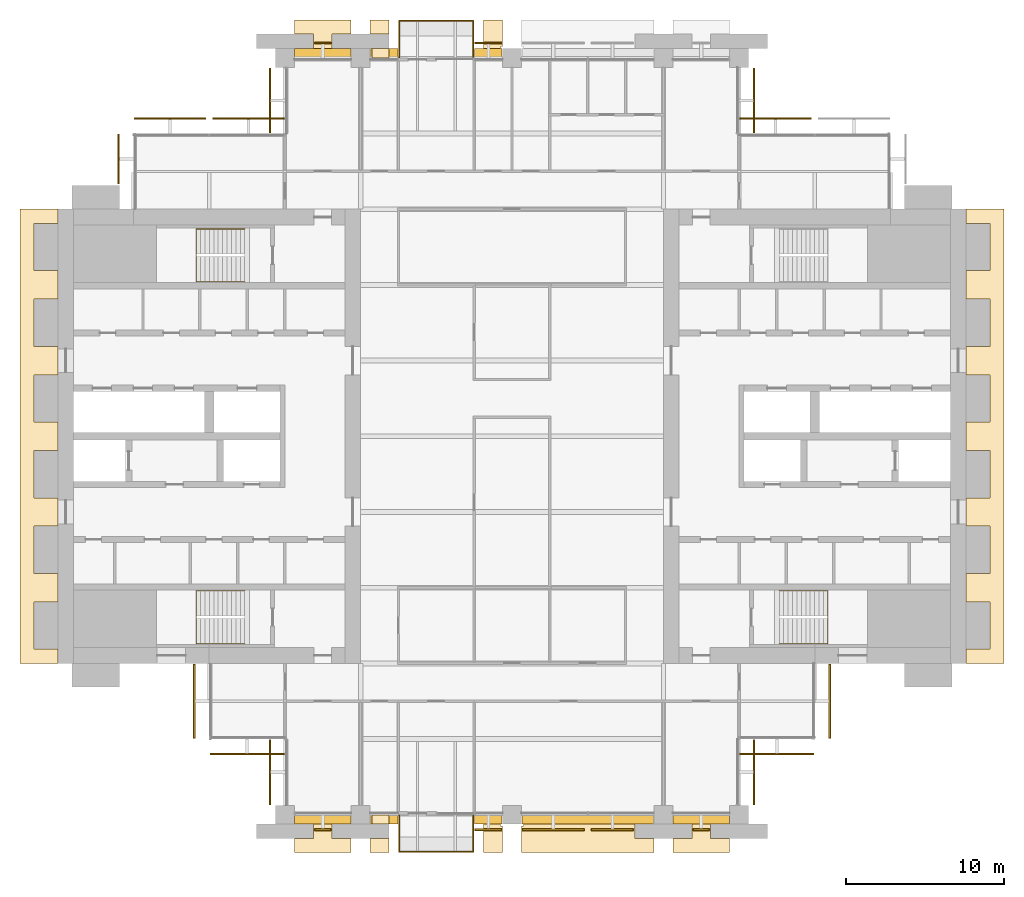
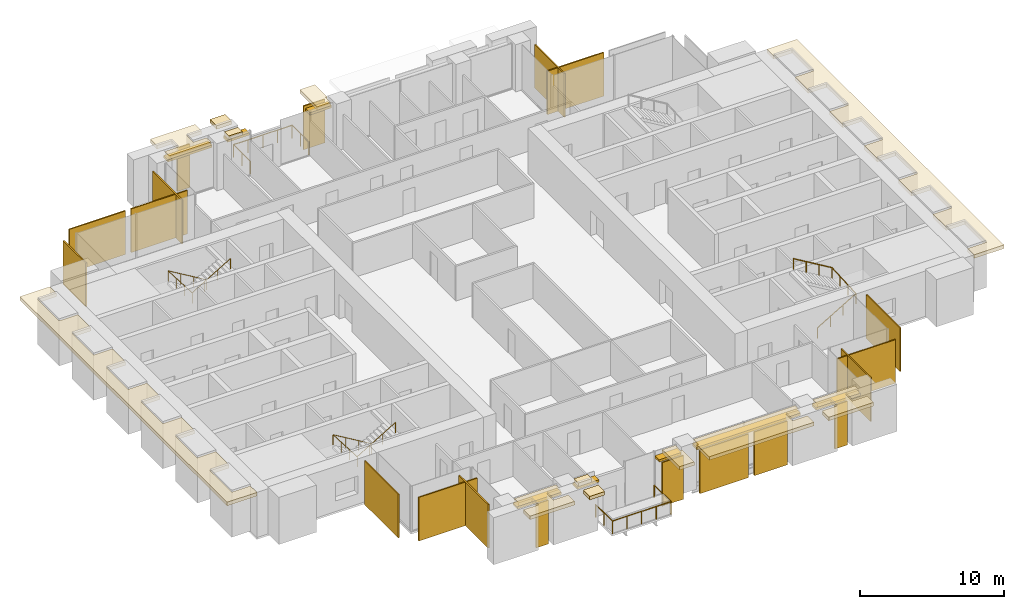
# One storey, part 14 of 15: 31 coverings, 8 shading devices, 5 railings.
"""IFC4 building model written with IfcOpenShell, lengths in metres."""

from ifc_helpers import new_model, si_unit, direction, frame, origin, origin_2d, place, context, subcontext, project, spatial, polyline, rectangle, circle, outline, extrude, material, layer, layer_set, type_object, element, save


model = new_model("IFC4")

# Units and contexts
model_context = context("Model", 3, precision=1e-05, world=origin(), true_north=direction((0.0, 1.0)))
body_context = subcontext(model_context, "Body", "Model", "MODEL_VIEW")
ifc_project = project(units=[si_unit("LENGTHUNIT", "METRE"), si_unit("AREAUNIT", "SQUARE_METRE"), si_unit("VOLUMEUNIT", "CUBIC_METRE"), si_unit("PLANEANGLEUNIT", "RADIAN"), si_unit("MASSUNIT", "GRAM", prefix="KILO")], contexts=[model_context])

# Site, building, storey
site_placement = place(None, origin())
site = spatial("IfcSite", under=ifc_project, at=site_placement, CompositionType="ELEMENT")
building_placement = place(site_placement, origin())
building = spatial("IfcBuilding", under=site, at=building_placement, Name="Baori Bourse Tower", CompositionType="ELEMENT")
storey_placement = place(building_placement, frame((0.0, 0.0, 128.10009765625)))
storey = spatial("IfcBuildingStorey", under=building, at=storey_placement, Name="L27", CompositionType="ELEMENT", Elevation=128.10009765625)

# Coverings
ifc_material_1 = material(Name="Pale anodised aluminium", Category="aluminium")
covering_type_1 = type_object("IfcCoveringType", Name="BD1 Pale metal band", PredefinedType="CLADDING", material=ifc_material_1)
covering_1_placement = place(storey_placement, frame((0.0, 0.0, 3.539794921875)))
element("IfcCovering", 1, at=covering_1_placement, inside=storey, type_object=covering_type_1, Name="Pale projecting band L27 1", PredefinedType="CLADDING", context=body_context, shape_type="SweptSolid", body=[
    extrude(outline(polyline([(57.60009765625, 10.5), (57.60009765625, 9.60009765625), (60.0, 9.60009765625), (60.0, 38.39990234375), (57.60009765625, 38.39990234375), (57.60009765625, 37.5), (59.10009765625, 37.5), (59.10009765625, 34.5), (57.60009765625, 34.5), (57.60009765625, 32.699951171875), (59.10009765625, 32.699951171875), (59.10009765625, 29.699951171875), (57.60009765625, 29.699951171875), (57.60009765625, 27.89990234375), (59.10009765625, 27.89990234375), (59.10009765625, 24.89990234375), (57.60009765625, 24.89990234375), (57.60009765625, 23.10009765625), (59.10009765625, 23.10009765625), (59.10009765625, 20.10009765625), (57.60009765625, 20.10009765625), (57.60009765625, 18.300048828125), (59.10009765625, 18.300048828125), (59.10009765625, 15.300048828125), (57.60009765625, 15.300048828125), (57.60009765625, 13.5), (59.10009765625, 13.5), (59.10009765625, 10.5), (57.60009765625, 10.5)])), origin(), (0.0, 0.0, 1.0), 0.300048828125),
])
covering_2_placement = place(storey_placement, frame((0.0, 0.0, 3.539794921875)))
element("IfcCovering", 2, at=covering_2_placement, inside=storey, type_object=covering_type_1, Name="Pale projecting band L27 4", PredefinedType="CLADDING", context=body_context, shape_type="SweptSolid", body=[
    extrude(outline(polyline([(27.0, 48.0), (28.080078125, 48.0), (28.080078125, 48.719970703125), (28.199951171875, 48.719970703125), (28.199951171875, 50.39990234375), (27.0, 50.39990234375), (27.0, 48.0)])), origin(), (0.0, 0.0, 1.0), 0.300048828125),
])
covering_3_placement = place(storey_placement, frame((0.0, 0.0, 3.539794921875)))
element("IfcCovering", 3, at=covering_3_placement, inside=storey, type_object=covering_type_1, Name="Pale projecting band L27 5", PredefinedType="CLADDING", context=body_context, shape_type="SweptSolid", body=[
    extrude(outline(polyline([(19.800048828125, 50.39990234375), (19.800048828125, 49.5), (21.0, 49.5), (21.0, 50.39990234375), (19.800048828125, 50.39990234375)])), origin(), (0.0, 0.0, 1.0), 0.300048828125),
])
covering_4_placement = place(storey_placement, frame((0.0, 0.0, 3.539794921875)))
element("IfcCovering", 4, at=covering_4_placement, inside=storey, type_object=covering_type_1, Name="Pale projecting band L27 6", PredefinedType="CLADDING", context=body_context, shape_type="SweptSolid", body=[
    extrude(outline(polyline([(19.919921875, 48.0), (21.0, 48.0), (21.0, 48.60009765625), (19.919921875, 48.60009765625), (19.919921875, 48.0)])), origin(), (0.0, 0.0, 1.0), 0.300048828125),
])
covering_5_placement = place(storey_placement, frame((0.0, 0.0, 3.539794921875)))
element("IfcCovering", 5, at=covering_5_placement, inside=storey, type_object=covering_type_1, Name="Pale projecting band L27 7", PredefinedType="CLADDING", context=body_context, shape_type="SweptSolid", body=[
    extrude(outline(polyline([(15.1201171875, 48.0), (18.47998046875, 48.0), (18.47998046875, 48.60009765625), (17.39990234375, 48.60009765625), (17.39990234375, 49.5), (18.60009765625, 49.5), (18.60009765625, 50.39990234375), (15.0, 50.39990234375), (15.0, 49.5), (16.199951171875, 49.5), (16.199951171875, 48.60009765625), (15.1201171875, 48.60009765625), (15.1201171875, 48.0)])), origin(), (0.0, 0.0, 1.0), 0.300048828125),
])
covering_6_placement = place(storey_placement, frame((0.0, 0.0, 3.539794921875)))
element("IfcCovering", 6, at=covering_6_placement, inside=storey, type_object=covering_type_1, Name="Pale projecting band L27 8", PredefinedType="CLADDING", context=body_context, shape_type="SweptSolid", body=[
    extrude(outline(polyline([(0.0, 37.5), (0.0, 38.39990234375), (-2.39990234375, 38.39990234375), (-2.39990234375, 9.60009765625), (0.0, 9.60009765625), (0.0, 10.5), (-1.5, 10.5), (-1.5, 13.5), (0.0, 13.5), (0.0, 15.300048828125), (-1.5, 15.300048828125), (-1.5, 18.300048828125), (0.0, 18.300048828125), (0.0, 20.10009765625), (-1.5, 20.10009765625), (-1.5, 23.10009765625), (0.0, 23.10009765625), (0.0, 24.89990234375), (-1.5, 24.89990234375), (-1.5, 27.89990234375), (0.0, 27.89990234375), (0.0, 29.699951171875), (-1.5, 29.699951171875), (-1.5, 32.699951171875), (0.0, 32.699951171875), (0.0, 34.5), (-1.5, 34.5), (-1.5, 37.5), (0.0, 37.5)])), origin(), (0.0, 0.0, 1.0), 0.300048828125),
])
covering_7_placement = place(storey_placement, frame((0.0, 0.0, 3.539794921875)))
element("IfcCovering", 7, at=covering_7_placement, inside=storey, type_object=covering_type_1, Name="Pale projecting band L27 9", PredefinedType="CLADDING", context=body_context, shape_type="SweptSolid", body=[
    extrude(outline(polyline([(18.47998046875, 0.0), (15.1201171875, 0.0), (15.1201171875, -0.60009765625), (16.199951171875, -0.60009765625), (16.199951171875, -1.5), (15.0, -1.5), (15.0, -2.39990234375), (18.60009765625, -2.39990234375), (18.60009765625, -1.5), (17.39990234375, -1.5), (17.39990234375, -0.60009765625), (18.47998046875, -0.60009765625), (18.47998046875, 0.0)])), origin(), (0.0, 0.0, 1.0), 0.300048828125),
])
covering_8_placement = place(storey_placement, frame((0.0, 0.0, 3.539794921875)))
element("IfcCovering", 8, at=covering_8_placement, inside=storey, type_object=covering_type_1, Name="Pale projecting band L27 10", PredefinedType="CLADDING", context=body_context, shape_type="SweptSolid", body=[
    extrude(outline(polyline([(19.800048828125, -2.39990234375), (21.0, -2.39990234375), (21.0, -1.5), (19.800048828125, -1.5), (19.800048828125, -2.39990234375)])), origin(), (0.0, 0.0, 1.0), 0.300048828125),
])
covering_9_placement = place(storey_placement, frame((0.0, 0.0, 3.539794921875)))
element("IfcCovering", 9, at=covering_9_placement, inside=storey, type_object=covering_type_1, Name="Pale projecting band L27 11", PredefinedType="CLADDING", context=body_context, shape_type="SweptSolid", body=[
    extrude(outline(polyline([(21.0, 0.0), (19.919921875, 0.0), (19.919921875, -0.60009765625), (21.0, -0.60009765625), (21.0, 0.0)])), origin(), (0.0, 0.0, 1.0), 0.300048828125),
])
covering_10_placement = place(storey_placement, frame((0.0, 0.0, 3.539794921875)))
element("IfcCovering", 10, at=covering_10_placement, inside=storey, type_object=covering_type_1, Name="Pale projecting band L27 12", PredefinedType="CLADDING", context=body_context, shape_type="SweptSolid", body=[
    extrude(outline(polyline([(28.080078125, 0.0), (27.0, 0.0), (27.0, -2.39990234375), (28.199951171875, -2.39990234375), (28.199951171875, -0.719970703125), (28.080078125, -0.719970703125), (28.080078125, 0.0)])), origin(), (0.0, 0.0, 1.0), 0.300048828125),
])
covering_11_placement = place(storey_placement, frame((0.0, 0.0, 3.539794921875)))
element("IfcCovering", 11, at=covering_11_placement, inside=storey, type_object=covering_type_1, Name="Pale projecting band L27 13", PredefinedType="CLADDING", context=body_context, shape_type="SweptSolid", body=[
    extrude(outline(polyline([(37.679931640625, 0.0), (29.52001953125, 0.0), (29.52001953125, -0.719970703125), (29.39990234375, -0.719970703125), (29.39990234375, -2.39990234375), (37.800048828125, -2.39990234375), (37.800048828125, -1.5), (36.60009765625, -1.5), (36.60009765625, -0.60009765625), (37.679931640625, -0.60009765625), (37.679931640625, 0.0)])), origin(), (0.0, 0.0, 1.0), 0.300048828125),
])
covering_12_placement = place(storey_placement, frame((0.0, 0.0, 3.539794921875)))
element("IfcCovering", 12, at=covering_12_placement, inside=storey, type_object=covering_type_1, Name="Pale projecting band L27 14", PredefinedType="CLADDING", context=body_context, shape_type="SweptSolid", body=[
    extrude(outline(polyline([(42.47998046875, 0.0), (39.1201171875, 0.0), (39.1201171875, -0.60009765625), (40.199951171875, -0.60009765625), (40.199951171875, -1.5), (39.0, -1.5), (39.0, -2.39990234375), (42.60009765625, -2.39990234375), (42.60009765625, -1.5), (41.39990234375, -1.5), (41.39990234375, -0.60009765625), (42.47998046875, -0.60009765625), (42.47998046875, 0.0)])), origin(), (0.0, 0.0, 1.0), 0.300048828125),
])

# Shading devices
ifc_material_2 = material(Name="Concrete f'c 40 MPa", Category="concrete")
ifc_layer_1 = layer(ifc_material_2, 0.199951171875)
ifc_layer_set_1 = layer_set([ifc_layer_1], Name="BS1 Brise-soleil ledge")
shading_device_type = type_object("IfcShadingDeviceType", Name="BS1 Brise-soleil ledge", PredefinedType="USERDEFINED", material=ifc_layer_set_1)
for number, where, z_axis, x_axis, name in (
    (13, (27.300048828125, 48.300048828125, 3.33984375), (0.0, 0.0, 1.0), (-1.0, 0.0, 0.0), "Brise-soleil ledge L27 3"),
    (14, (20.699951171875, 48.300048828125, 3.33984375), (0.0, 0.0, 1.0), (-1.0, 0.0, 0.0), "Brise-soleil ledge L27 4"),
):
    element("IfcShadingDevice", number, at=place(storey_placement, frame(where, z_axis=z_axis, x_axis=x_axis)), inside=storey, type_object=shading_device_type, Name=name, ObjectType="BRISE SOLEIL", PredefinedType="USERDEFINED", context=body_context, shape_type="SweptSolid", body=[
        extrude(rectangle(XDim=1.760009765625, YDim=0.60009765625, at=origin_2d()), origin(), (0.0, 0.0, 1.0), 0.199951171875),
    ])
for number, where, z_axis, x_axis, name in (
    (15, (16.800048828125, 48.300048828125, 3.33984375), (0.0, 0.0, 1.0), (-1.0, 0.0, 0.0), "Brise-soleil ledge L27 5"),
    (16, (16.800048828125, -0.300048828125, 3.33984375), (0.0, 0.0, 1.0), (1.0, 0.0, 0.0), "Brise-soleil ledge L27 6"),
):
    element("IfcShadingDevice", number, at=place(storey_placement, frame(where, z_axis=z_axis, x_axis=x_axis)), inside=storey, type_object=shading_device_type, Name=name, ObjectType="BRISE SOLEIL", PredefinedType="USERDEFINED", context=body_context, shape_type="SweptSolid", body=[
        extrude(rectangle(XDim=3.56005859375, YDim=0.60009765625, at=origin_2d()), origin(), (0.0, 0.0, 1.0), 0.199951171875),
    ])
for number, where, z_axis, x_axis, name in (
    (17, (20.699951171875, -0.300048828125, 3.33984375), (0.0, 0.0, 1.0), (1.0, 0.0, 0.0), "Brise-soleil ledge L27 7"),
    (18, (27.300048828125, -0.300048828125, 3.33984375), (0.0, 0.0, 1.0), (1.0, 0.0, 0.0), "Brise-soleil ledge L27 8"),
):
    element("IfcShadingDevice", number, at=place(storey_placement, frame(where, z_axis=z_axis, x_axis=x_axis)), inside=storey, type_object=shading_device_type, Name=name, ObjectType="BRISE SOLEIL", PredefinedType="USERDEFINED", context=body_context, shape_type="SweptSolid", body=[
        extrude(rectangle(XDim=1.760009765625, YDim=0.60009765625, at=origin_2d()), origin(), (0.0, 0.0, 1.0), 0.199951171875),
    ])
shading_device_1_placement = place(storey_placement, frame((33.60009765625, -0.300048828125, 3.33984375), z_axis=(0.0, 0.0, 1.0), x_axis=(1.0, 0.0, 0.0)))
element("IfcShadingDevice", 19, at=shading_device_1_placement, inside=storey, type_object=shading_device_type, Name="Brise-soleil ledge L27 9", ObjectType="BRISE SOLEIL", PredefinedType="USERDEFINED", context=body_context, shape_type="SweptSolid", body=[
    extrude(rectangle(XDim=8.360107421875, YDim=0.60009765625, at=origin_2d()), origin(), (0.0, 0.0, 1.0), 0.199951171875),
])
shading_device_2_placement = place(storey_placement, frame((40.800048828125, -0.300048828125, 3.33984375), z_axis=(0.0, 0.0, 1.0), x_axis=(1.0, 0.0, 0.0)))
element("IfcShadingDevice", 20, at=shading_device_2_placement, inside=storey, type_object=shading_device_type, Name="Brise-soleil ledge L27 10", ObjectType="BRISE SOLEIL", PredefinedType="USERDEFINED", context=body_context, shape_type="SweptSolid", body=[
    extrude(rectangle(XDim=3.56005859375, YDim=0.60009765625, at=origin_2d()), origin(), (0.0, 0.0, 1.0), 0.199951171875),
])

# Railings
ifc_material_3 = material(Name="Powder-coated steel balustrade", Category="steel")
railing_type_1 = type_object("IfcRailingType", Name="Core stair handrail", PredefinedType="HANDRAIL", material=ifc_material_3)
railing_1_placement = place(storey_placement, frame((11.85009765625, 14.199951171875, 0.16650390625)))
element("IfcRailing", 21, at=railing_1_placement, inside=storey, type_object=railing_type_1, Name="L27 ST1 stair handrail 1", PredefinedType="HANDRAIL", context=body_context, shape_type="SweptSolid", body=[
    extrude(circle(Radius=0.02392578125, at=origin_2d()), frame((0.0, 0.0, 0.8759765625), z_axis=(-0.85927862911, 0.0, 0.511507807912), x_axis=(0.0, -1.0, 0.0)), (0.0, 0.0, 1.0), 3.58447265625),
    extrude(circle(Radius=0.02392578125, at=origin_2d()), frame((-3.080078125, 0.0, 2.70947265625), z_axis=(0.0, -0.998766999029, 0.049643545903), x_axis=(1.0, 0.0, 0.0)), (0.0, 0.0, 1.0), 3.35400390625),
    extrude(circle(Radius=0.02392578125, at=origin_2d()), frame((-3.080078125, -3.349853515625, 2.8759765625), z_axis=(0.85927862911, 0.0, 0.511507807912), x_axis=(0.0, 1.0, 0.0)), (0.0, 0.0, 1.0), 3.58447265625),
    extrude(circle(Radius=0.02099609375, at=origin_2d()), origin(), (0.0, 0.0, 1.0), 0.851806640625),
    extrude(circle(Radius=0.02099609375, at=origin_2d()), frame((-1.026611328125, 0.0, 0.611083984375)), (0.0, 0.0, 1.0), 0.851806640625),
    extrude(circle(Radius=0.02099609375, at=origin_2d()), frame((-2.053466796875, 0.0, 1.222412109375)), (0.0, 0.0, 1.0), 0.851806640625),
    extrude(circle(Radius=0.02099609375, at=origin_2d()), frame((-3.080078125, 0.0, 1.83349609375)), (0.0, 0.0, 1.0), 0.851806640625),
    extrude(circle(Radius=0.02099609375, at=origin_2d()), frame((-3.080078125, -1.11669921875, 1.888916015625)), (0.0, 0.0, 1.0), 0.851806640625),
    extrude(circle(Radius=0.02099609375, at=origin_2d()), frame((-3.080078125, -2.233154296875, 1.944580078125)), (0.0, 0.0, 1.0), 0.851806640625),
    extrude(circle(Radius=0.02099609375, at=origin_2d()), frame((-3.080078125, -3.349853515625, 2.0)), (0.0, 0.0, 1.0), 0.851806640625),
    extrude(circle(Radius=0.02099609375, at=origin_2d()), frame((-2.053466796875, -3.349853515625, 2.611083984375)), (0.0, 0.0, 1.0), 0.851806640625),
    extrude(circle(Radius=0.02099609375, at=origin_2d()), frame((-1.026611328125, -3.349853515625, 3.222412109375)), (0.0, 0.0, 1.0), 0.851806640625),
    extrude(circle(Radius=0.02099609375, at=origin_2d()), frame((0.0, -3.349853515625, 3.83349609375)), (0.0, 0.0, 1.0), 0.851806640625),
])
railing_2_placement = place(storey_placement, frame((11.85009765625, 37.14990234375, 0.16650390625)))
element("IfcRailing", 22, at=railing_2_placement, inside=storey, type_object=railing_type_1, Name="L27 ST2 stair handrail 1", PredefinedType="HANDRAIL", context=body_context, shape_type="SweptSolid", body=[
    extrude(circle(Radius=0.02392578125, at=origin_2d()), frame((0.0, 0.0, 0.8759765625), z_axis=(-0.85927862911, 0.0, 0.511507807912), x_axis=(0.0, -1.0, 0.0)), (0.0, 0.0, 1.0), 3.58447265625),
    extrude(circle(Radius=0.02392578125, at=origin_2d()), frame((-3.080078125, 0.0, 2.70947265625), z_axis=(0.0, -0.998766999029, 0.049643545903), x_axis=(1.0, 0.0, 0.0)), (0.0, 0.0, 1.0), 3.35400390625),
    extrude(circle(Radius=0.02392578125, at=origin_2d()), frame((-3.080078125, -3.349853515625, 2.8759765625), z_axis=(0.85927862911, 0.0, 0.511507807912), x_axis=(0.0, 1.0, 0.0)), (0.0, 0.0, 1.0), 3.58447265625),
    extrude(circle(Radius=0.02099609375, at=origin_2d()), origin(), (0.0, 0.0, 1.0), 0.851806640625),
    extrude(circle(Radius=0.02099609375, at=origin_2d()), frame((-1.026611328125, 0.0, 0.611083984375)), (0.0, 0.0, 1.0), 0.851806640625),
    extrude(circle(Radius=0.02099609375, at=origin_2d()), frame((-2.053466796875, 0.0, 1.222412109375)), (0.0, 0.0, 1.0), 0.851806640625),
    extrude(circle(Radius=0.02099609375, at=origin_2d()), frame((-3.080078125, 0.0, 1.83349609375)), (0.0, 0.0, 1.0), 0.851806640625),
    extrude(circle(Radius=0.02099609375, at=origin_2d()), frame((-3.080078125, -1.11669921875, 1.888916015625)), (0.0, 0.0, 1.0), 0.851806640625),
    extrude(circle(Radius=0.02099609375, at=origin_2d()), frame((-3.080078125, -2.233154296875, 1.944580078125)), (0.0, 0.0, 1.0), 0.851806640625),
    extrude(circle(Radius=0.02099609375, at=origin_2d()), frame((-3.080078125, -3.349853515625, 2.0)), (0.0, 0.0, 1.0), 0.851806640625),
    extrude(circle(Radius=0.02099609375, at=origin_2d()), frame((-2.053466796875, -3.349853515625, 2.611083984375)), (0.0, 0.0, 1.0), 0.851806640625),
    extrude(circle(Radius=0.02099609375, at=origin_2d()), frame((-1.026611328125, -3.349853515625, 3.222412109375)), (0.0, 0.0, 1.0), 0.851806640625),
    extrude(circle(Radius=0.02099609375, at=origin_2d()), frame((0.0, -3.349853515625, 3.83349609375)), (0.0, 0.0, 1.0), 0.851806640625),
])
railing_3_placement = place(storey_placement, frame((45.75, 10.85009765625, 0.16650390625)))
element("IfcRailing", 23, at=railing_3_placement, inside=storey, type_object=railing_type_1, Name="L27 ST3 stair handrail 1", PredefinedType="HANDRAIL", context=body_context, shape_type="SweptSolid", body=[
    extrude(circle(Radius=0.02392578125, at=origin_2d()), frame((0.0, 0.0, 0.8759765625), z_axis=(0.85927862911, 0.0, 0.511507807912), x_axis=(0.0, 1.0, 0.0)), (0.0, 0.0, 1.0), 3.58447265625),
    extrude(circle(Radius=0.02392578125, at=origin_2d()), frame((3.080078125, 0.0, 2.70947265625), z_axis=(0.0, 0.998766999029, 0.049643545903), x_axis=(-1.0, 0.0, 0.0)), (0.0, 0.0, 1.0), 3.35400390625),
    extrude(circle(Radius=0.02392578125, at=origin_2d()), frame((3.080078125, 3.349853515625, 2.8759765625), z_axis=(-0.85927862911, 0.0, 0.511507807912), x_axis=(0.0, -1.0, 0.0)), (0.0, 0.0, 1.0), 3.58447265625),
    extrude(circle(Radius=0.02099609375, at=origin_2d()), origin(), (0.0, 0.0, 1.0), 0.851806640625),
    extrude(circle(Radius=0.02099609375, at=origin_2d()), frame((1.026611328125, 0.0, 0.611083984375)), (0.0, 0.0, 1.0), 0.851806640625),
    extrude(circle(Radius=0.02099609375, at=origin_2d()), frame((2.053466796875, 0.0, 1.222412109375)), (0.0, 0.0, 1.0), 0.851806640625),
    extrude(circle(Radius=0.02099609375, at=origin_2d()), frame((3.080078125, 0.0, 1.83349609375)), (0.0, 0.0, 1.0), 0.851806640625),
    extrude(circle(Radius=0.02099609375, at=origin_2d()), frame((3.080078125, 1.11669921875, 1.888916015625)), (0.0, 0.0, 1.0), 0.851806640625),
    extrude(circle(Radius=0.02099609375, at=origin_2d()), frame((3.080078125, 2.233154296875, 1.944580078125)), (0.0, 0.0, 1.0), 0.851806640625),
    extrude(circle(Radius=0.02099609375, at=origin_2d()), frame((3.080078125, 3.349853515625, 2.0)), (0.0, 0.0, 1.0), 0.851806640625),
    extrude(circle(Radius=0.02099609375, at=origin_2d()), frame((2.053466796875, 3.349853515625, 2.611083984375)), (0.0, 0.0, 1.0), 0.851806640625),
    extrude(circle(Radius=0.02099609375, at=origin_2d()), frame((1.026611328125, 3.349853515625, 3.222412109375)), (0.0, 0.0, 1.0), 0.851806640625),
    extrude(circle(Radius=0.02099609375, at=origin_2d()), frame((0.0, 3.349853515625, 3.83349609375)), (0.0, 0.0, 1.0), 0.851806640625),
])
ifc_material_4 = material(Name="Stainless steel", Category="steel")
railing_type_2 = type_object("IfcRailingType", Name="GD1 Guard", PredefinedType="GUARDRAIL", material=ifc_material_4)
railing_4_placement = place(storey_placement, frame((21.64990234375, -0.030029296875, 0.0)))
element("IfcRailing", 24, at=railing_4_placement, inside=storey, type_object=railing_type_2, Name="Guard balcony S L27 1", PredefinedType="GUARDRAIL", context=body_context, shape_type="SweptSolid", body=[
    extrude(circle(Radius=0.02392578125, at=origin_2d()), frame((0.0, 0.0, 1.076171875), z_axis=(0.0, -1.0, 0.0), x_axis=(1.0, 0.0, 0.0)), (0.0, 0.0, 1.0), 2.320068359375),
    extrude(circle(Radius=0.02392578125, at=origin_2d()), frame((0.0, -2.320068359375, 1.076171875), z_axis=(1.0, 0.0, 0.0), x_axis=(0.0, 1.0, 0.0)), (0.0, 0.0, 1.0), 4.7001953125),
    extrude(circle(Radius=0.02392578125, at=origin_2d()), frame((4.7001953125, -2.320068359375, 1.076171875), z_axis=(0.0, 1.0, 0.0), x_axis=(-1.0, 0.0, 0.0)), (0.0, 0.0, 1.0), 2.320068359375),
    extrude(circle(Radius=0.02099609375, at=origin_2d()), origin(), (0.0, 0.0, 1.0), 1.052001953125),
    extrude(circle(Radius=0.02099609375, at=origin_2d()), frame((0.0, -1.16015625, 0.0)), (0.0, 0.0, 1.0), 1.052001953125),
    extrude(circle(Radius=0.02099609375, at=origin_2d()), frame((0.0, -2.320068359375, 0.0)), (0.0, 0.0, 1.0), 1.052001953125),
    extrude(circle(Radius=0.02099609375, at=origin_2d()), frame((1.175048828125, -2.320068359375, 0.0)), (0.0, 0.0, 1.0), 1.052001953125),
    extrude(circle(Radius=0.02099609375, at=origin_2d()), frame((2.35009765625, -2.320068359375, 0.0)), (0.0, 0.0, 1.0), 1.052001953125),
    extrude(circle(Radius=0.02099609375, at=origin_2d()), frame((3.525146484375, -2.320068359375, 0.0)), (0.0, 0.0, 1.0), 1.052001953125),
    extrude(circle(Radius=0.02099609375, at=origin_2d()), frame((4.7001953125, -2.320068359375, 0.0)), (0.0, 0.0, 1.0), 1.052001953125),
    extrude(circle(Radius=0.02099609375, at=origin_2d()), frame((4.7001953125, -1.16015625, 0.0)), (0.0, 0.0, 1.0), 1.052001953125),
    extrude(circle(Radius=0.02099609375, at=origin_2d()), frame((4.7001953125, 0.0, 0.0)), (0.0, 0.0, 1.0), 1.052001953125),
])
railing_5_placement = place(storey_placement, frame((21.64990234375, 48.030029296875, 0.0)))
element("IfcRailing", 25, at=railing_5_placement, inside=storey, type_object=railing_type_2, Name="Guard balcony N L27 2", PredefinedType="GUARDRAIL", context=body_context, shape_type="SweptSolid", body=[
    extrude(circle(Radius=0.02392578125, at=origin_2d()), frame((0.0, 0.0, 1.076171875), z_axis=(0.0, 1.0, 0.0), x_axis=(-1.0, 0.0, 0.0)), (0.0, 0.0, 1.0), 2.320068359375),
    extrude(circle(Radius=0.02392578125, at=origin_2d()), frame((0.0, 2.320068359375, 1.076171875), z_axis=(1.0, 0.0, 0.0), x_axis=(0.0, 1.0, 0.0)), (0.0, 0.0, 1.0), 4.7001953125),
    extrude(circle(Radius=0.02392578125, at=origin_2d()), frame((4.7001953125, 2.320068359375, 1.076171875), z_axis=(0.0, -1.0, 0.0), x_axis=(1.0, 0.0, 0.0)), (0.0, 0.0, 1.0), 2.320068359375),
    extrude(circle(Radius=0.02099609375, at=origin_2d()), origin(), (0.0, 0.0, 1.0), 1.052001953125),
    extrude(circle(Radius=0.02099609375, at=origin_2d()), frame((0.0, 1.16015625, 0.0)), (0.0, 0.0, 1.0), 1.052001953125),
    extrude(circle(Radius=0.02099609375, at=origin_2d()), frame((0.0, 2.320068359375, 0.0)), (0.0, 0.0, 1.0), 1.052001953125),
    extrude(circle(Radius=0.02099609375, at=origin_2d()), frame((1.175048828125, 2.320068359375, 0.0)), (0.0, 0.0, 1.0), 1.052001953125),
    extrude(circle(Radius=0.02099609375, at=origin_2d()), frame((2.35009765625, 2.320068359375, 0.0)), (0.0, 0.0, 1.0), 1.052001953125),
    extrude(circle(Radius=0.02099609375, at=origin_2d()), frame((3.525146484375, 2.320068359375, 0.0)), (0.0, 0.0, 1.0), 1.052001953125),
    extrude(circle(Radius=0.02099609375, at=origin_2d()), frame((4.7001953125, 2.320068359375, 0.0)), (0.0, 0.0, 1.0), 1.052001953125),
    extrude(circle(Radius=0.02099609375, at=origin_2d()), frame((4.7001953125, 1.16015625, 0.0)), (0.0, 0.0, 1.0), 1.052001953125),
    extrude(circle(Radius=0.02099609375, at=origin_2d()), frame((4.7001953125, 0.0, 0.0)), (0.0, 0.0, 1.0), 1.052001953125),
])

# Coverings
ifc_material_5 = material(Name="Pale anodised aluminium", Category="aluminium")
ifc_layer_2 = layer(ifc_material_5, 0.10009765625)
ifc_layer_set_2 = layer_set([ifc_layer_2], Name="OS3 Outer skin screen panel")
covering_type_2 = type_object("IfcCoveringType", Name="OS3 Outer skin screen panel", PredefinedType="CLADDING", material=ifc_layer_set_2)
covering_13_placement = place(storey_placement, frame((0.0, 0.0, -0.16015625)))
element("IfcCovering", 26, at=covering_13_placement, inside=storey, type_object=covering_type_2, Name="Outer skin screen L27 3", PredefinedType="CLADDING", context=body_context, shape_type="SweptSolid", body=[
    extrude(outline(polyline([(43.25, 44.10009765625), (47.77490234375, 44.10009765625), (47.77490234375, 44.199951171875), (43.25, 44.199951171875), (43.25, 44.10009765625)])), origin(), (0.0, 0.0, 1.0), 3.699951171875),
])
covering_14_placement = place(storey_placement, frame((0.0, 0.0, -0.16015625)))
element("IfcCovering", 27, at=covering_14_placement, inside=storey, type_object=covering_type_2, Name="Outer skin screen L27 4", PredefinedType="CLADDING", context=body_context, shape_type="SweptSolid", body=[
    extrude(outline(polyline([(44.10009765625, 47.35009765625), (44.10009765625, 43.25), (44.199951171875, 43.25), (44.199951171875, 47.35009765625), (44.10009765625, 47.35009765625)])), origin(), (0.0, 0.0, 1.0), 3.699951171875),
])
covering_15_placement = place(storey_placement, frame((0.0, 0.0, -0.16015625)))
element("IfcCovering", 28, at=covering_15_placement, inside=storey, type_object=covering_type_2, Name="Outer skin screen L27 8", PredefinedType="CLADDING", context=body_context, shape_type="SweptSolid", body=[
    extrude(outline(polyline([(26.449951171875, 48.89990234375), (28.14990234375, 48.89990234375), (28.14990234375, 49.0), (26.449951171875, 49.0), (26.449951171875, 48.89990234375)])), origin(), (0.0, 0.0, 1.0), 3.699951171875),
])
covering_16_placement = place(storey_placement, frame((0.0, 0.0, -0.16015625)))
element("IfcCovering", 29, at=covering_16_placement, inside=storey, type_object=covering_type_2, Name="Outer skin screen L27 9", PredefinedType="CLADDING", context=body_context, shape_type="SweptSolid", body=[
    extrude(outline(polyline([(16.300048828125, 48.89990234375), (17.300048828125, 48.89990234375), (17.300048828125, 49.0), (16.300048828125, 49.0), (16.300048828125, 48.89990234375)])), origin(), (0.0, 0.0, 1.0), 3.699951171875),
])
covering_17_placement = place(storey_placement, frame((0.0, 0.0, -0.16015625)))
element("IfcCovering", 30, at=covering_17_placement, inside=storey, type_object=covering_type_2, Name="Outer skin screen L27 10", PredefinedType="CLADDING", context=body_context, shape_type="SweptSolid", body=[
    extrude(outline(polyline([(13.5, 43.25), (13.5, 47.35009765625), (13.39990234375, 47.35009765625), (13.39990234375, 43.25), (13.5, 43.25)])), origin(), (0.0, 0.0, 1.0), 3.699951171875),
])
covering_18_placement = place(storey_placement, frame((0.0, 0.0, -0.16015625)))
element("IfcCovering", 31, at=covering_18_placement, inside=storey, type_object=covering_type_2, Name="Outer skin screen L27 11", PredefinedType="CLADDING", context=body_context, shape_type="SweptSolid", body=[
    extrude(outline(polyline([(9.824951171875, 44.10009765625), (14.35009765625, 44.10009765625), (14.35009765625, 44.199951171875), (9.824951171875, 44.199951171875), (9.824951171875, 44.10009765625)])), origin(), (0.0, 0.0, 1.0), 3.699951171875),
])
covering_19_placement = place(storey_placement, frame((0.0, 0.0, -0.16015625)))
element("IfcCovering", 32, at=covering_19_placement, inside=storey, type_object=covering_type_2, Name="Outer skin screen L27 12", PredefinedType="CLADDING", context=body_context, shape_type="SweptSolid", body=[
    extrude(outline(polyline([(4.85009765625, 44.10009765625), (9.375, 44.10009765625), (9.375, 44.199951171875), (4.85009765625, 44.199951171875), (4.85009765625, 44.10009765625)])), origin(), (0.0, 0.0, 1.0), 3.699951171875),
])
covering_20_placement = place(storey_placement, frame((0.0, 0.0, -0.16015625)))
element("IfcCovering", 33, at=covering_20_placement, inside=storey, type_object=covering_type_2, Name="Outer skin screen L27 13", PredefinedType="CLADDING", context=body_context, shape_type="SweptSolid", body=[
    extrude(outline(polyline([(3.89990234375, 40.0), (3.89990234375, 43.14990234375), (3.800048828125, 43.14990234375), (3.800048828125, 40.0), (3.89990234375, 40.0), (3.89990234375, 40.0)])), origin(), (0.0, 0.0, 1.0), 3.699951171875),
])
covering_21_placement = place(storey_placement, frame((0.0, 0.0, -0.16015625)))
element("IfcCovering", 34, at=covering_21_placement, inside=storey, type_object=covering_type_2, Name="Outer skin screen L27 14", PredefinedType="CLADDING", context=body_context, shape_type="SweptSolid", body=[
    extrude(outline(polyline([(8.699951171875, 4.85009765625), (8.699951171875, 9.550048828125), (8.60009765625, 9.550048828125), (8.60009765625, 4.85009765625), (8.699951171875, 4.85009765625)])), origin(), (0.0, 0.0, 1.0), 3.699951171875),
])
covering_22_placement = place(storey_placement, frame((0.0, 0.0, -0.16015625)))
element("IfcCovering", 35, at=covering_22_placement, inside=storey, type_object=covering_type_2, Name="Outer skin screen L27 15", PredefinedType="CLADDING", context=body_context, shape_type="SweptSolid", body=[
    extrude(outline(polyline([(14.35009765625, 3.89990234375), (9.64990234375, 3.89990234375), (9.64990234375, 3.800048828125), (14.35009765625, 3.800048828125), (14.35009765625, 3.89990234375)])), origin(), (0.0, 0.0, 1.0), 3.699951171875),
])
covering_23_placement = place(storey_placement, frame((0.0, 0.0, -0.16015625)))
element("IfcCovering", 36, at=covering_23_placement, inside=storey, type_object=covering_type_2, Name="Outer skin screen L27 16", PredefinedType="CLADDING", context=body_context, shape_type="SweptSolid", body=[
    extrude(outline(polyline([(13.5, 0.64990234375), (13.5, 4.75), (13.39990234375, 4.75), (13.39990234375, 0.64990234375), (13.5, 0.64990234375)])), origin(), (0.0, 0.0, 1.0), 3.699951171875),
])
covering_24_placement = place(storey_placement, frame((0.0, 0.0, -0.16015625)))
element("IfcCovering", 37, at=covering_24_placement, inside=storey, type_object=covering_type_2, Name="Outer skin screen L27 17", PredefinedType="CLADDING", context=body_context, shape_type="SweptSolid", body=[
    extrude(outline(polyline([(17.300048828125, -0.89990234375), (16.300048828125, -0.89990234375), (16.300048828125, -1.0), (17.300048828125, -1.0), (17.300048828125, -0.89990234375)])), origin(), (0.0, 0.0, 1.0), 3.699951171875),
])
covering_25_placement = place(storey_placement, frame((0.0, 0.0, -0.16015625)))
element("IfcCovering", 38, at=covering_25_placement, inside=storey, type_object=covering_type_2, Name="Outer skin screen L27 18", PredefinedType="CLADDING", context=body_context, shape_type="SweptSolid", body=[
    extrude(outline(polyline([(28.14990234375, -0.89990234375), (26.449951171875, -0.89990234375), (26.449951171875, -1.0), (28.14990234375, -1.0), (28.14990234375, -0.89990234375)])), origin(), (0.0, 0.0, 1.0), 3.699951171875),
])
covering_26_placement = place(storey_placement, frame((0.0, 0.0, -0.16015625)))
element("IfcCovering", 39, at=covering_26_placement, inside=storey, type_object=covering_type_2, Name="Outer skin screen L27 19", PredefinedType="CLADDING", context=body_context, shape_type="SweptSolid", body=[
    extrude(outline(polyline([(33.375, -0.89990234375), (29.449951171875, -0.89990234375), (29.449951171875, -1.0), (33.375, -1.0), (33.375, -0.89990234375)])), origin(), (0.0, 0.0, 1.0), 3.699951171875),
])
covering_27_placement = place(storey_placement, frame((0.0, 0.0, -0.16015625)))
element("IfcCovering", 40, at=covering_27_placement, inside=storey, type_object=covering_type_2, Name="Outer skin screen L27 20", PredefinedType="CLADDING", context=body_context, shape_type="SweptSolid", body=[
    extrude(outline(polyline([(36.5, -0.89990234375), (33.824951171875, -0.89990234375), (33.824951171875, -1.0), (36.5, -1.0), (36.5, -0.89990234375)])), origin(), (0.0, 0.0, 1.0), 3.699951171875),
])
covering_28_placement = place(storey_placement, frame((0.0, 0.0, -0.16015625)))
element("IfcCovering", 41, at=covering_28_placement, inside=storey, type_object=covering_type_2, Name="Outer skin screen L27 21", PredefinedType="CLADDING", context=body_context, shape_type="SweptSolid", body=[
    extrude(outline(polyline([(41.300048828125, -0.89990234375), (40.300048828125, -0.89990234375), (40.300048828125, -1.0), (41.300048828125, -1.0), (41.300048828125, -0.89990234375)])), origin(), (0.0, 0.0, 1.0), 3.699951171875),
])
covering_29_placement = place(storey_placement, frame((0.0, 0.0, -0.16015625)))
element("IfcCovering", 42, at=covering_29_placement, inside=storey, type_object=covering_type_2, Name="Outer skin screen L27 22", PredefinedType="CLADDING", context=body_context, shape_type="SweptSolid", body=[
    extrude(outline(polyline([(44.10009765625, 4.75), (44.10009765625, 0.64990234375), (44.199951171875, 0.64990234375), (44.199951171875, 4.75), (44.10009765625, 4.75)])), origin(), (0.0, 0.0, 1.0), 3.699951171875),
])
covering_30_placement = place(storey_placement, frame((0.0, 0.0, -0.16015625)))
element("IfcCovering", 43, at=covering_30_placement, inside=storey, type_object=covering_type_2, Name="Outer skin screen L27 23", PredefinedType="CLADDING", context=body_context, shape_type="SweptSolid", body=[
    extrude(outline(polyline([(47.949951171875, 3.89990234375), (43.25, 3.89990234375), (43.25, 3.800048828125), (47.949951171875, 3.800048828125), (47.949951171875, 3.89990234375)])), origin(), (0.0, 0.0, 1.0), 3.699951171875),
])
covering_31_placement = place(storey_placement, frame((0.0, 0.0, -0.16015625)))
element("IfcCovering", 44, at=covering_31_placement, inside=storey, type_object=covering_type_2, Name="Outer skin screen L27 24", PredefinedType="CLADDING", context=body_context, shape_type="SweptSolid", body=[
    extrude(outline(polyline([(48.89990234375, 9.550048828125), (48.89990234375, 4.85009765625), (49.0, 4.85009765625), (49.0, 9.550048828125), (48.89990234375, 9.550048828125)])), origin(), (0.0, 0.0, 1.0), 3.699951171875),
])

save(model, "model.ifc")
